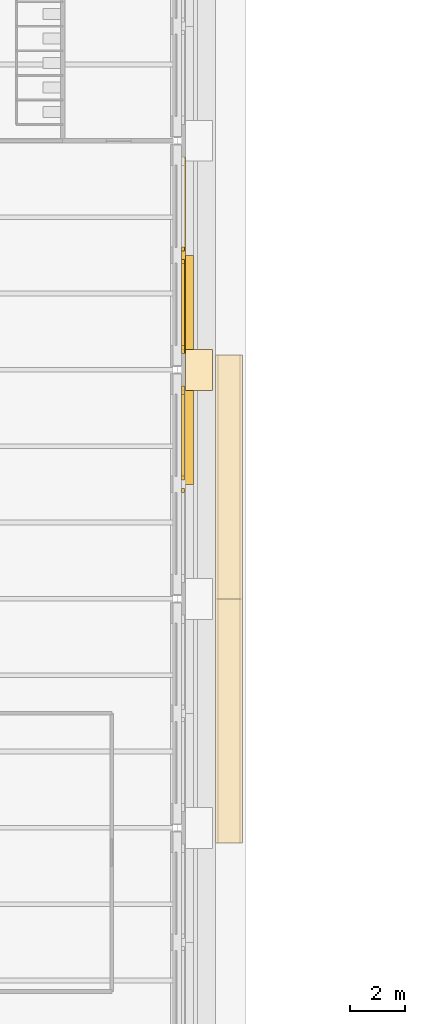
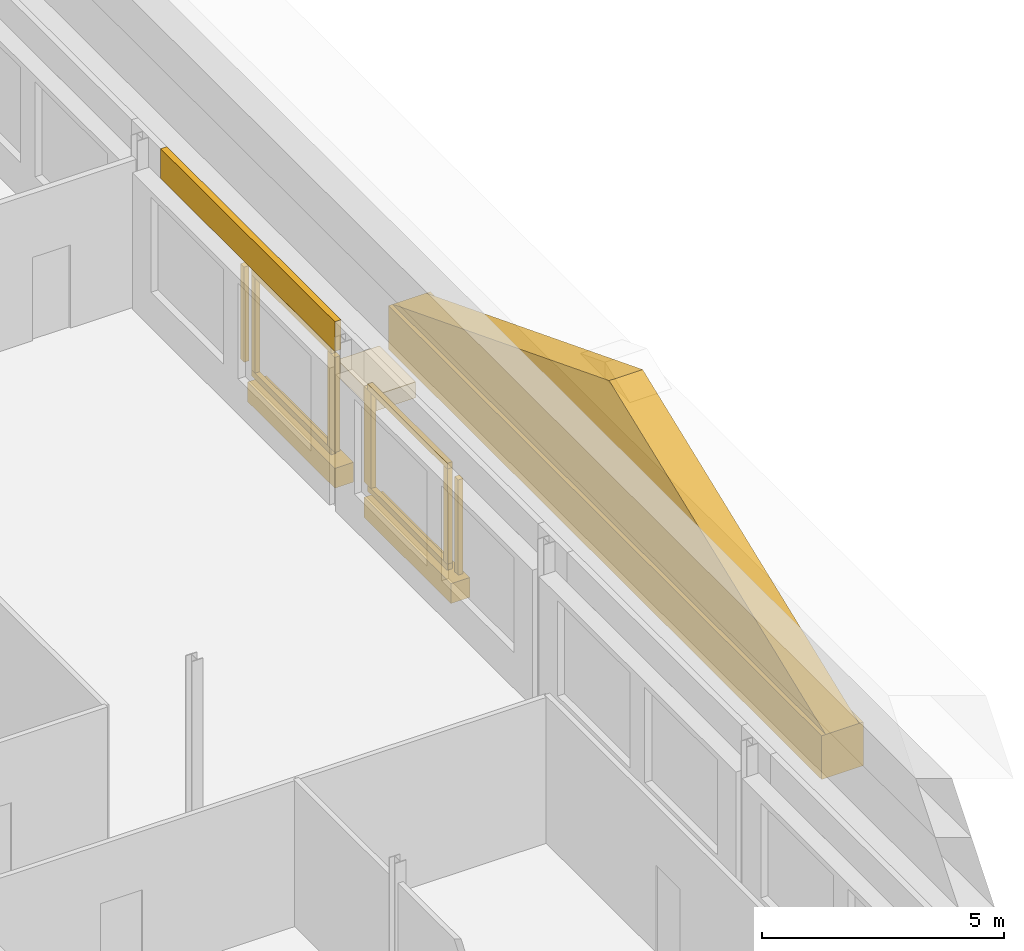
# One storey, part 71 of 76: 16 coverings.
"""IFC4 building model written with IfcOpenShell, lengths in metres."""

from ifc_helpers import new_model, si_unit, direction, frame, origin, origin_2d, place, context, subcontext, project, spatial, polyline, rectangle, outline, extrude, material, layer, layer_set, type_object, element, save


model = new_model("IFC4")

# Units and contexts
model_context = context("Model", 3, precision=1e-05, world=origin(), true_north=direction((0.0, 1.0)))
body_context = subcontext(model_context, "Body", "Model", "MODEL_VIEW")
ifc_project = project(units=[si_unit("LENGTHUNIT", "METRE"), si_unit("AREAUNIT", "SQUARE_METRE"), si_unit("VOLUMEUNIT", "CUBIC_METRE"), si_unit("PLANEANGLEUNIT", "RADIAN"), si_unit("MASSUNIT", "GRAM", prefix="KILO")], contexts=[model_context])

# Site, building, storey
site_placement = place(None, origin())
site = spatial("IfcSite", under=ifc_project, at=site_placement, CompositionType="ELEMENT")
building_placement = place(site_placement, origin())
building = spatial("IfcBuilding", under=site, at=building_placement, Name="Sava Quay Ferry Terminal", CompositionType="ELEMENT")
storey_placement = place(building_placement, frame((0.0, 0.0, 10.800048828125)))
storey = spatial("IfcBuildingStorey", under=building, at=storey_placement, Name="L02", CompositionType="ELEMENT", Elevation=10.800048828125)

# Coverings
ifc_material_1 = material(Name="Limestone Mutalj", Category="masonry")
ifc_layer_1 = layer(ifc_material_1, 0.14990234375)
ifc_layer_set_1 = layer_set([ifc_layer_1], Name="Limestone Mutalj")
covering_type_1 = type_object("IfcCoveringType", Name="Limestone string course 150", PredefinedType="CLADDING", material=ifc_layer_set_1)
covering_1_placement = place(storey_placement, frame((0.0, 0.0, 3.449951171875)))
element("IfcCovering", 1, at=covering_1_placement, inside=storey, type_object=covering_type_1, Name="String course O-E", PredefinedType="CLADDING", context=body_context, shape_type="SweptSolid", body=[
    extrude(outline(polyline([(109.35009765625, 93.0), (109.35009765625, 100.199951171875), (109.5, 100.199951171875), (109.5, 93.0), (109.35009765625, 93.0)])), origin(), (0.0, 0.0, 1.0), 0.75),
])
ifc_material_2 = material(Name="Limestone Mutalj", Category="masonry")
ifc_layer_2 = layer(ifc_material_2, 1.0)
ifc_layer_set_2 = layer_set([ifc_layer_2], Name="Limestone Mutalj")
covering_type_2 = type_object("IfcCoveringType", Name="Pilaster capital block 1500", PredefinedType="MOLDING", material=ifc_layer_set_2)
covering_2_placement = place(storey_placement, frame((110.0, 92.39990234375, 2.699951171875), z_axis=(0.0, 0.0, 1.0), x_axis=(1.0, 0.0, 0.0)))
element("IfcCovering", 2, at=covering_2_placement, inside=storey, type_object=covering_type_2, Name="Giant-order capital", PredefinedType="MOLDING", context=body_context, shape_type="SweptSolid", body=[
    extrude(rectangle(XDim=1.0, YDim=1.5, at=origin_2d()), origin(), (0.0, 0.0, 1.0), 0.39990234375),
])
ifc_material_3 = material(Name="Limestone Mutalj", Category="masonry")
ifc_layer_3 = layer(ifc_material_3, 0.1201171875)
ifc_layer_set_3 = layer_set([ifc_layer_3], Name="Limestone Mutalj")
covering_type_3 = type_object("IfcCoveringType", Name="Plain window architrave 150", PredefinedType="MOLDING", material=ifc_layer_set_3)
for number, where, z_axis, x_axis, name in (
    (3, (109.409912109375, 87.97509765625, 0.89990234375), (0.0, 0.0, 1.0), (1.0, 0.0, 0.0), "Plain window architrave"),
    (4, (109.409912109375, 88.425048828125, 0.89990234375), (0.0, 0.0, 1.0), (1.0, 0.0, 0.0), "Plain window architrave"),
):
    element("IfcCovering", number, at=place(storey_placement, frame(where, z_axis=z_axis, x_axis=x_axis)), inside=storey, type_object=covering_type_3, Name=name, PredefinedType="MOLDING", context=body_context, shape_type="SweptSolid", body=[
        extrude(rectangle(XDim=0.1201171875, YDim=0.14990234375, at=origin_2d()), origin(), (0.0, 0.0, 1.0), 2.39990234375),
    ])
covering_3_placement = place(storey_placement, frame((109.409912109375, 91.64990234375, 0.89990234375), z_axis=(0.0, 0.0, 1.0), x_axis=(1.0, 0.0, 0.0)))
element("IfcCovering", 5, at=covering_3_placement, inside=storey, type_object=covering_type_3, Name="Plain window architrave", PredefinedType="MOLDING", context=body_context, shape_type="SweptSolid", body=[
    extrude(rectangle(XDim=0.1201171875, YDim=0.300048828125, at=origin_2d()), origin(), (0.0, 0.0, 1.0), 2.39990234375),
])
for number, where, z_axis, x_axis, name in (
    (6, (109.409912109375, 90.0, 3.300048828125), (0.0, 0.0, 1.0), (1.0, 0.0, 0.0), "Plain window architrave"),
    (7, (109.409912109375, 90.0, 0.75), (0.0, 0.0, 1.0), (1.0, 0.0, 0.0), "Plain window architrave"),
):
    element("IfcCovering", number, at=place(storey_placement, frame(where, z_axis=z_axis, x_axis=x_axis)), inside=storey, type_object=covering_type_3, Name=name, PredefinedType="MOLDING", context=body_context, shape_type="SweptSolid", body=[
        extrude(rectangle(XDim=0.1201171875, YDim=3.300048828125, at=origin_2d()), origin(), (0.0, 0.0, 1.0), 0.14990234375),
    ])
covering_4_placement = place(storey_placement, frame((109.409912109375, 93.14990234375, 0.89990234375), z_axis=(0.0, 0.0, 1.0), x_axis=(1.0, 0.0, 0.0)))
element("IfcCovering", 8, at=covering_4_placement, inside=storey, type_object=covering_type_3, Name="Plain window architrave", PredefinedType="MOLDING", context=body_context, shape_type="SweptSolid", body=[
    extrude(rectangle(XDim=0.1201171875, YDim=0.300048828125, at=origin_2d()), origin(), (0.0, 0.0, 1.0), 2.39990234375),
])
covering_5_placement = place(storey_placement, frame((109.409912109375, 96.375, 0.89990234375), z_axis=(0.0, 0.0, 1.0), x_axis=(1.0, 0.0, 0.0)))
element("IfcCovering", 9, at=covering_5_placement, inside=storey, type_object=covering_type_3, Name="Plain window architrave", PredefinedType="MOLDING", context=body_context, shape_type="SweptSolid", body=[
    extrude(rectangle(XDim=0.1201171875, YDim=0.14990234375, at=origin_2d()), origin(), (0.0, 0.0, 1.0), 2.39990234375),
])
for number, where, z_axis, x_axis, name in (
    (10, (109.409912109375, 94.800048828125, 3.300048828125), (0.0, 0.0, 1.0), (1.0, 0.0, 0.0), "Plain window architrave"),
    (11, (109.409912109375, 94.800048828125, 0.75), (0.0, 0.0, 1.0), (1.0, 0.0, 0.0), "Plain window architrave"),
):
    element("IfcCovering", number, at=place(storey_placement, frame(where, z_axis=z_axis, x_axis=x_axis)), inside=storey, type_object=covering_type_3, Name=name, PredefinedType="MOLDING", context=body_context, shape_type="SweptSolid", body=[
        extrude(rectangle(XDim=0.1201171875, YDim=3.300048828125, at=origin_2d()), origin(), (0.0, 0.0, 1.0), 0.14990234375),
    ])
covering_6_placement = place(storey_placement, frame((109.409912109375, 96.824951171875, 0.89990234375), z_axis=(0.0, 0.0, 1.0), x_axis=(1.0, 0.0, 0.0)))
element("IfcCovering", 12, at=covering_6_placement, inside=storey, type_object=covering_type_3, Name="Plain window architrave", PredefinedType="MOLDING", context=body_context, shape_type="SweptSolid", body=[
    extrude(rectangle(XDim=0.1201171875, YDim=0.14990234375, at=origin_2d()), origin(), (0.0, 0.0, 1.0), 2.39990234375),
])
ifc_material_4 = material(Name="Limestone Mutalj", Category="masonry")
ifc_layer_4 = layer(ifc_material_4, 1.0)
ifc_layer_set_4 = layer_set([ifc_layer_4], Name="Limestone Mutalj")
covering_type_4 = type_object("IfcCoveringType", Name="Portico entablature 1000", PredefinedType="MOLDING", material=ifc_layer_set_4)
covering_7_placement = place(storey_placement, frame((111.10009765625, 84.0, 3.099853515625), z_axis=(0.0, 0.0, 1.0), x_axis=(1.0, 0.0, 0.0)))
element("IfcCovering", 13, at=covering_7_placement, inside=storey, type_object=covering_type_4, Name="Portico entablature", PredefinedType="MOLDING", context=body_context, shape_type="SweptSolid", body=[
    extrude(rectangle(XDim=1.0, YDim=17.89990234375, at=origin_2d()), origin(), (0.0, 0.0, 1.0), 1.10009765625),
])
ifc_material_5 = material(Name="Limestone Mutalj", Category="masonry")
ifc_layer_5 = layer(ifc_material_5, 0.800048828125)
ifc_layer_set_5 = layer_set([ifc_layer_5], Name="Limestone Mutalj")
covering_type_5 = type_object("IfcCoveringType", Name="Portico pediment tympanum 800", PredefinedType="CLADDING", material=ifc_layer_set_5)
covering_8_placement = place(storey_placement, frame((111.5, 75.050048828125, 4.199951171875), z_axis=(1.0, 0.0, 0.0), x_axis=(0.0, 1.0, 0.0)))
element("IfcCovering", 14, at=covering_8_placement, inside=storey, type_object=covering_type_5, Name="Portico pediment", PredefinedType="CLADDING", context=body_context, shape_type="SweptSolid", body=[
    extrude(outline(polyline([(0.0, 0.0), (17.89990234375, 0.0), (8.949951171875, 3.5), (0.0, 0.0)])), origin(), (0.0, 0.0, -1.0), 0.800048828125),
])
ifc_material_6 = material(Name="Limestone Mutalj", Category="masonry")
ifc_layer_6 = layer(ifc_material_6, 0.449951171875)
ifc_layer_set_6 = layer_set([ifc_layer_6], Name="Limestone Mutalj")
covering_type_6 = type_object("IfcCoveringType", Name="Projecting string course 500", PredefinedType="MOLDING", material=ifc_layer_set_6)
for number, where, z_axis, x_axis, name in (
    (15, (109.574951171875, 90.0, 0.0), (0.0, 0.0, 1.0), (1.0, 0.0, 0.0), "Projecting string course"),
    (16, (109.574951171875, 94.800048828125, 0.0), (0.0, 0.0, 1.0), (1.0, 0.0, 0.0), "Projecting string course"),
):
    element("IfcCovering", number, at=place(storey_placement, frame(where, z_axis=z_axis, x_axis=x_axis)), inside=storey, type_object=covering_type_6, Name=name, PredefinedType="MOLDING", context=body_context, shape_type="SweptSolid", body=[
        extrude(rectangle(XDim=0.449951171875, YDim=3.60009765625, at=origin_2d()), origin(), (0.0, 0.0, 1.0), 0.5),
    ])

save(model, "model.ifc")
